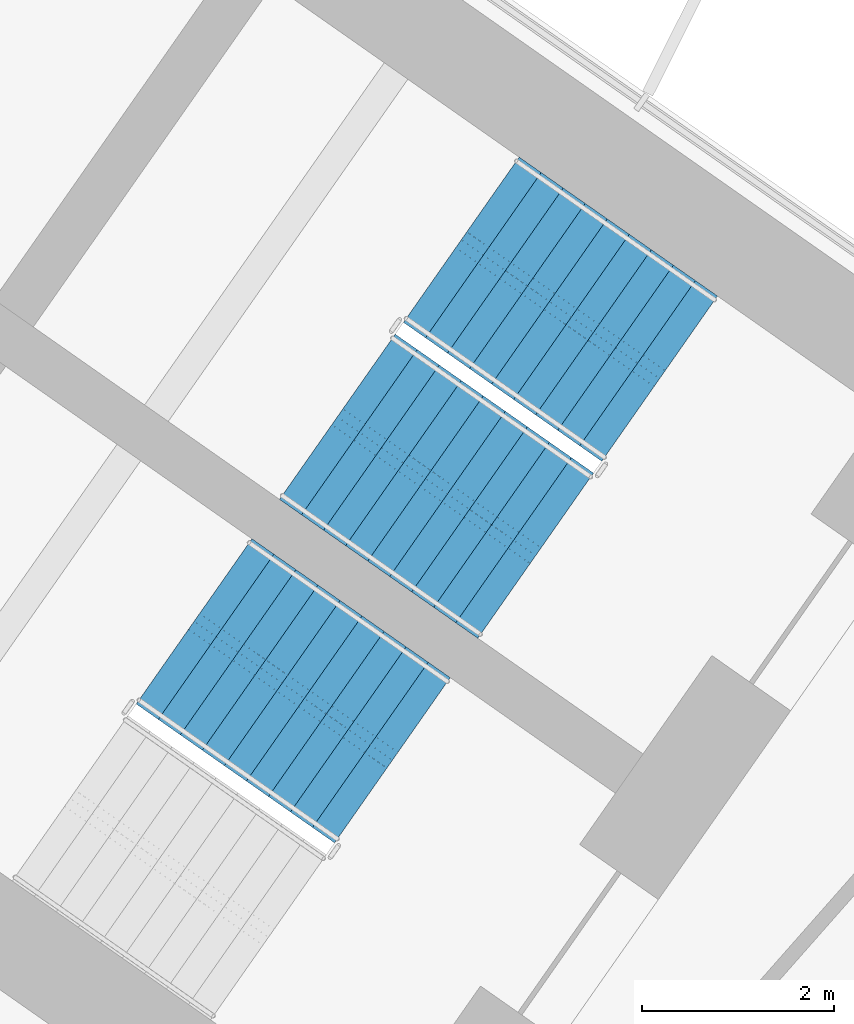
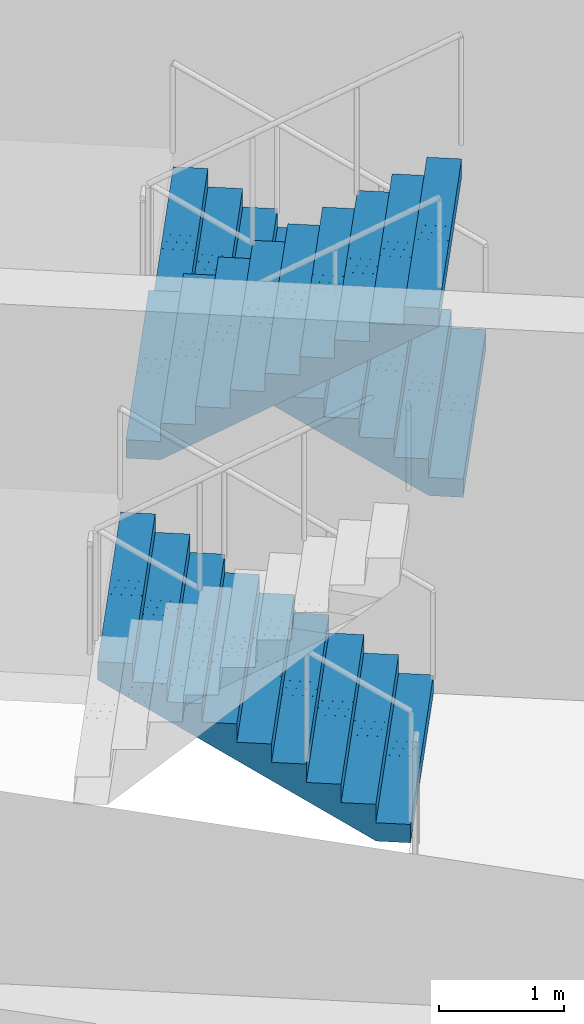
# One storey, part 18 of 24: 3 stair flights, 2 elements without a shape of their own.
"""IFC4 building model written with IfcOpenShell, lengths in metres."""

from ifc_helpers import new_model, si_unit, direction, frame, origin, place, context, subcontext, project, spatial, polyline, outline, extrude, material, type_object, element, aggregate, save


model = new_model("IFC4")

# Units and contexts
model_context = context("Model", 3, precision=1e-05, world=origin(), true_north=direction((0.0, 1.0)))
body_context = subcontext(model_context, "Body", "Model", "MODEL_VIEW")
ifc_project = project(units=[si_unit("LENGTHUNIT", "METRE"), si_unit("AREAUNIT", "SQUARE_METRE"), si_unit("VOLUMEUNIT", "CUBIC_METRE"), si_unit("PLANEANGLEUNIT", "RADIAN"), si_unit("MASSUNIT", "GRAM", prefix="KILO")], contexts=[model_context])

# Site, building, storey
site_placement = place(None, origin())
site = spatial("IfcSite", under=ifc_project, at=site_placement, CompositionType="ELEMENT")
building_placement = place(site_placement, origin())
building = spatial("IfcBuilding", under=site, at=building_placement, Name="Tel Ilan Convention Tower", CompositionType="ELEMENT")
storey_placement = place(building_placement, frame((0.0, 0.0, 72.5)))
storey = spatial("IfcBuildingStorey", under=building, at=storey_placement, Name="L13", CompositionType="ELEMENT", Elevation=72.5)

# Stair, stair flights
ifc_material_1 = material(Name="Concrete C40/50", Category="concrete")
stair_type = type_object("IfcStairType", Name="Pressurised Exit Stair 20 risers 180 mm", PredefinedType="HALF_TURN_STAIR", material=ifc_material_1)
stair_1_placement = place(storey_placement, origin())
stair_1 = element("IfcStair", 1, at=stair_1_placement, inside=storey, type_object=stair_type, Name="L13 Pressurised Stair S3", PredefinedType="HALF_TURN_STAIR")
ifc_material_2 = material(Name="Precast Concrete C40/50", Category="concrete")
stair_flight_type = type_object("IfcStairFlightType", Name="Concrete Stair Flight 2100 mm 20 risers 180 mm", PredefinedType="STRAIGHT", material=ifc_material_2)
stair_flight_1_placement = place(storey_placement, frame((24.25244140625, -7.032470703125, 0.0), z_axis=(0.0, 0.0, 1.0), x_axis=(-0.819152044289, 0.573576436351, 0.0)))
stair_flight_1 = element("IfcStairFlight", 2, at=stair_flight_1_placement, type_object=stair_flight_type, Name="S3 flight 1", NumberOfRisers=10, NumberOfTreads=9, PredefinedType="STRAIGHT", RiserHeight=0.18, TreadLength=0.28, context=body_context, shape_type="SweptSolid", body=[
    extrude(outline(polyline([(0.0, 0.0), (0.0, 0.179931640625), (0.280029296875, 0.179931640625), (0.280029296875, 0.360107421875), (0.56005859375, 0.360107421875), (0.56005859375, 0.5400390625), (0.840087890625, 0.5400390625), (0.840087890625, 0.719970703125), (1.1201171875, 0.719970703125), (1.1201171875, 0.89990234375), (1.39990234375, 0.89990234375), (1.39990234375, 1.080078125), (1.679931640625, 1.080078125), (1.679931640625, 1.260009765625), (1.9599609375, 1.260009765625), (1.9599609375, 1.43994140625), (2.239990234375, 1.43994140625), (2.239990234375, 1.6201171875), (2.52001953125, 1.6201171875), (2.52001953125, 1.800048828125), (2.52001953125, 1.44189453125), (0.277099609375, 0.0), (0.0, 0.0)])), frame((0.0, -0.100341796875, 0.0), z_axis=(0.0, -1.0, 0.0), x_axis=(1.0, 0.0, 0.0)), (0.0, 0.0, 1.0), 0.94970703125),
    extrude(outline(polyline([(0.0, 0.0), (0.0, 0.179931640625), (0.280029296875, 0.179931640625), (0.280029296875, 0.360107421875), (0.56005859375, 0.360107421875), (0.56005859375, 0.5400390625), (0.840087890625, 0.5400390625), (0.840087890625, 0.719970703125), (1.1201171875, 0.719970703125), (1.1201171875, 0.89990234375), (1.39990234375, 0.89990234375), (1.39990234375, 1.080078125), (1.679931640625, 1.080078125), (1.679931640625, 1.260009765625), (1.9599609375, 1.260009765625), (1.9599609375, 1.43994140625), (2.239990234375, 1.43994140625), (2.239990234375, 1.6201171875), (2.52001953125, 1.6201171875), (2.52001953125, 1.800048828125), (2.52001953125, 1.44189453125), (0.277099609375, 0.0), (0.0, 0.0)])), frame((0.0, -0.000244140625, 0.0), z_axis=(0.0, -1.0, 0.0), x_axis=(1.0, 0.0, 0.0)), (0.0, 0.0, 1.0), 0.099609375),
    extrude(outline(polyline([(0.0, 0.0), (0.0, 0.179931640625), (0.280029296875, 0.179931640625), (0.280029296875, 0.360107421875), (0.56005859375, 0.360107421875), (0.56005859375, 0.5400390625), (0.840087890625, 0.5400390625), (0.840087890625, 0.719970703125), (1.1201171875, 0.719970703125), (1.1201171875, 0.89990234375), (1.39990234375, 0.89990234375), (1.39990234375, 1.080078125), (1.679931640625, 1.080078125), (1.679931640625, 1.260009765625), (1.9599609375, 1.260009765625), (1.9599609375, 1.43994140625), (2.239990234375, 1.43994140625), (2.239990234375, 1.6201171875), (2.52001953125, 1.6201171875), (2.52001953125, 1.800048828125), (2.52001953125, 1.44189453125), (0.277099609375, 0.0), (0.0, 0.0)])), frame((0.0, 0.099853515625, 0.0), z_axis=(0.0, -1.0, 0.0), x_axis=(1.0, 0.0, 0.0)), (0.0, 0.0, 1.0), 0.099609375),
    extrude(outline(polyline([(0.0, 0.0), (0.0, 0.179931640625), (0.280029296875, 0.179931640625), (0.280029296875, 0.360107421875), (0.56005859375, 0.360107421875), (0.56005859375, 0.5400390625), (0.840087890625, 0.5400390625), (0.840087890625, 0.719970703125), (1.1201171875, 0.719970703125), (1.1201171875, 0.89990234375), (1.39990234375, 0.89990234375), (1.39990234375, 1.080078125), (1.679931640625, 1.080078125), (1.679931640625, 1.260009765625), (1.9599609375, 1.260009765625), (1.9599609375, 1.43994140625), (2.239990234375, 1.43994140625), (2.239990234375, 1.6201171875), (2.52001953125, 1.6201171875), (2.52001953125, 1.800048828125), (2.52001953125, 1.44189453125), (0.277099609375, 0.0), (0.0, 0.0)])), frame((0.0, 1.050048828125, 0.0), z_axis=(0.0, -1.0, 0.0), x_axis=(1.0, 0.0, 0.0)), (0.0, 0.0, 1.0), 0.94970703125),
])
stair_flight_2_placement = place(storey_placement, frame((20.8974609375, -7.43017578125, 1.800048828125), z_axis=(0.0, 0.0, 1.0), x_axis=(0.819152044289, -0.573576436351, 0.0)))
stair_flight_2 = element("IfcStairFlight", 3, at=stair_flight_2_placement, type_object=stair_flight_type, Name="S3 flight 2", NumberOfRisers=10, NumberOfTreads=9, PredefinedType="STRAIGHT", RiserHeight=0.18, TreadLength=0.28, context=body_context, shape_type="SweptSolid", body=[
    extrude(outline(polyline([(0.0, 0.0), (0.0, 0.179931640625), (0.280029296875, 0.179931640625), (0.280029296875, 0.360107421875), (0.56005859375, 0.360107421875), (0.56005859375, 0.5400390625), (0.840087890625, 0.5400390625), (0.840087890625, 0.719970703125), (1.1201171875, 0.719970703125), (1.1201171875, 0.89990234375), (1.39990234375, 0.89990234375), (1.39990234375, 1.080078125), (1.679931640625, 1.080078125), (1.679931640625, 1.260009765625), (1.9599609375, 1.260009765625), (1.9599609375, 1.43994140625), (2.239990234375, 1.43994140625), (2.239990234375, 1.6201171875), (2.52001953125, 1.6201171875), (2.52001953125, 1.800048828125), (2.52001953125, 1.44189453125), (0.277099609375, 0.0), (0.0, 0.0)])), frame((0.0, -0.100341796875, 0.0), z_axis=(0.0, -1.0, 0.0), x_axis=(1.0, 0.0, 0.0)), (0.0, 0.0, 1.0), 0.94970703125),
    extrude(outline(polyline([(0.0, 0.0), (0.0, 0.179931640625), (0.280029296875, 0.179931640625), (0.280029296875, 0.360107421875), (0.56005859375, 0.360107421875), (0.56005859375, 0.5400390625), (0.840087890625, 0.5400390625), (0.840087890625, 0.719970703125), (1.1201171875, 0.719970703125), (1.1201171875, 0.89990234375), (1.39990234375, 0.89990234375), (1.39990234375, 1.080078125), (1.679931640625, 1.080078125), (1.679931640625, 1.260009765625), (1.9599609375, 1.260009765625), (1.9599609375, 1.43994140625), (2.239990234375, 1.43994140625), (2.239990234375, 1.6201171875), (2.52001953125, 1.6201171875), (2.52001953125, 1.800048828125), (2.52001953125, 1.44189453125), (0.277099609375, 0.0), (0.0, 0.0)])), frame((0.0, -0.000244140625, 0.0), z_axis=(0.0, -1.0, 0.0), x_axis=(1.0, 0.0, 0.0)), (0.0, 0.0, 1.0), 0.099609375),
    extrude(outline(polyline([(0.0, 0.0), (0.0, 0.179931640625), (0.280029296875, 0.179931640625), (0.280029296875, 0.360107421875), (0.56005859375, 0.360107421875), (0.56005859375, 0.5400390625), (0.840087890625, 0.5400390625), (0.840087890625, 0.719970703125), (1.1201171875, 0.719970703125), (1.1201171875, 0.89990234375), (1.39990234375, 0.89990234375), (1.39990234375, 1.080078125), (1.679931640625, 1.080078125), (1.679931640625, 1.260009765625), (1.9599609375, 1.260009765625), (1.9599609375, 1.43994140625), (2.239990234375, 1.43994140625), (2.239990234375, 1.6201171875), (2.52001953125, 1.6201171875), (2.52001953125, 1.800048828125), (2.52001953125, 1.44189453125), (0.277099609375, 0.0), (0.0, 0.0)])), frame((0.0, 0.099853515625, 0.0), z_axis=(0.0, -1.0, 0.0), x_axis=(1.0, 0.0, 0.0)), (0.0, 0.0, 1.0), 0.099609375),
    extrude(outline(polyline([(0.0, 0.0), (0.0, 0.179931640625), (0.280029296875, 0.179931640625), (0.280029296875, 0.360107421875), (0.56005859375, 0.360107421875), (0.56005859375, 0.5400390625), (0.840087890625, 0.5400390625), (0.840087890625, 0.719970703125), (1.1201171875, 0.719970703125), (1.1201171875, 0.89990234375), (1.39990234375, 0.89990234375), (1.39990234375, 1.080078125), (1.679931640625, 1.080078125), (1.679931640625, 1.260009765625), (1.9599609375, 1.260009765625), (1.9599609375, 1.43994140625), (2.239990234375, 1.43994140625), (2.239990234375, 1.6201171875), (2.52001953125, 1.6201171875), (2.52001953125, 1.800048828125), (2.52001953125, 1.44189453125), (0.277099609375, 0.0), (0.0, 0.0)])), frame((0.0, 1.050048828125, 0.0), z_axis=(0.0, -1.0, 0.0), x_axis=(1.0, 0.0, 0.0)), (0.0, 0.0, 1.0), 0.94970703125),
])
aggregate(stair_1, [stair_flight_1, stair_flight_2])

# Stair, stair flight
stair_2_placement = place(storey_placement, origin())
stair_2 = element("IfcStair", 4, at=stair_2_placement, inside=storey, type_object=stair_type, Name="L13 Pressurised Stair S4", PredefinedType="HALF_TURN_STAIR")
stair_flight_3_placement = place(storey_placement, frame((21.470458984375, -11.00537109375, 0.0), z_axis=(0.0, 0.0, 1.0), x_axis=(-0.819152044289, 0.573576436351, 0.0)))
stair_flight_3 = element("IfcStairFlight", 5, at=stair_flight_3_placement, type_object=stair_flight_type, Name="S4 flight 1", NumberOfRisers=10, NumberOfTreads=9, PredefinedType="STRAIGHT", RiserHeight=0.18, TreadLength=0.28, context=body_context, shape_type="SweptSolid", body=[
    extrude(outline(polyline([(0.0, 0.0), (0.0, 0.179931640625), (0.280029296875, 0.179931640625), (0.280029296875, 0.360107421875), (0.56005859375, 0.360107421875), (0.56005859375, 0.5400390625), (0.840087890625, 0.5400390625), (0.840087890625, 0.719970703125), (1.1201171875, 0.719970703125), (1.1201171875, 0.89990234375), (1.39990234375, 0.89990234375), (1.39990234375, 1.080078125), (1.679931640625, 1.080078125), (1.679931640625, 1.260009765625), (1.9599609375, 1.260009765625), (1.9599609375, 1.43994140625), (2.239990234375, 1.43994140625), (2.239990234375, 1.6201171875), (2.52001953125, 1.6201171875), (2.52001953125, 1.800048828125), (2.52001953125, 1.44189453125), (0.277099609375, 0.0), (0.0, 0.0)])), frame((0.0, -0.100341796875, 0.0), z_axis=(0.0, -1.0, 0.0), x_axis=(1.0, 0.0, 0.0)), (0.0, 0.0, 1.0), 0.94970703125),
    extrude(outline(polyline([(0.0, 0.0), (0.0, 0.179931640625), (0.280029296875, 0.179931640625), (0.280029296875, 0.360107421875), (0.56005859375, 0.360107421875), (0.56005859375, 0.5400390625), (0.840087890625, 0.5400390625), (0.840087890625, 0.719970703125), (1.1201171875, 0.719970703125), (1.1201171875, 0.89990234375), (1.39990234375, 0.89990234375), (1.39990234375, 1.080078125), (1.679931640625, 1.080078125), (1.679931640625, 1.260009765625), (1.9599609375, 1.260009765625), (1.9599609375, 1.43994140625), (2.239990234375, 1.43994140625), (2.239990234375, 1.6201171875), (2.52001953125, 1.6201171875), (2.52001953125, 1.800048828125), (2.52001953125, 1.44189453125), (0.277099609375, 0.0), (0.0, 0.0)])), frame((0.0, -0.000244140625, 0.0), z_axis=(0.0, -1.0, 0.0), x_axis=(1.0, 0.0, 0.0)), (0.0, 0.0, 1.0), 0.099609375),
    extrude(outline(polyline([(0.0, 0.0), (0.0, 0.179931640625), (0.280029296875, 0.179931640625), (0.280029296875, 0.360107421875), (0.56005859375, 0.360107421875), (0.56005859375, 0.5400390625), (0.840087890625, 0.5400390625), (0.840087890625, 0.719970703125), (1.1201171875, 0.719970703125), (1.1201171875, 0.89990234375), (1.39990234375, 0.89990234375), (1.39990234375, 1.080078125), (1.679931640625, 1.080078125), (1.679931640625, 1.260009765625), (1.9599609375, 1.260009765625), (1.9599609375, 1.43994140625), (2.239990234375, 1.43994140625), (2.239990234375, 1.6201171875), (2.52001953125, 1.6201171875), (2.52001953125, 1.800048828125), (2.52001953125, 1.44189453125), (0.277099609375, 0.0), (0.0, 0.0)])), frame((0.0, 0.099853515625, 0.0), z_axis=(0.0, -1.0, 0.0), x_axis=(1.0, 0.0, 0.0)), (0.0, 0.0, 1.0), 0.099609375),
    extrude(outline(polyline([(0.0, 0.0), (0.0, 0.179931640625), (0.280029296875, 0.179931640625), (0.280029296875, 0.360107421875), (0.56005859375, 0.360107421875), (0.56005859375, 0.5400390625), (0.840087890625, 0.5400390625), (0.840087890625, 0.719970703125), (1.1201171875, 0.719970703125), (1.1201171875, 0.89990234375), (1.39990234375, 0.89990234375), (1.39990234375, 1.080078125), (1.679931640625, 1.080078125), (1.679931640625, 1.260009765625), (1.9599609375, 1.260009765625), (1.9599609375, 1.43994140625), (2.239990234375, 1.43994140625), (2.239990234375, 1.6201171875), (2.52001953125, 1.6201171875), (2.52001953125, 1.800048828125), (2.52001953125, 1.44189453125), (0.277099609375, 0.0), (0.0, 0.0)])), frame((0.0, 1.050048828125, 0.0), z_axis=(0.0, -1.0, 0.0), x_axis=(1.0, 0.0, 0.0)), (0.0, 0.0, 1.0), 0.94970703125),
])
aggregate(stair_2, [stair_flight_3])

save(model, "model.ifc")
